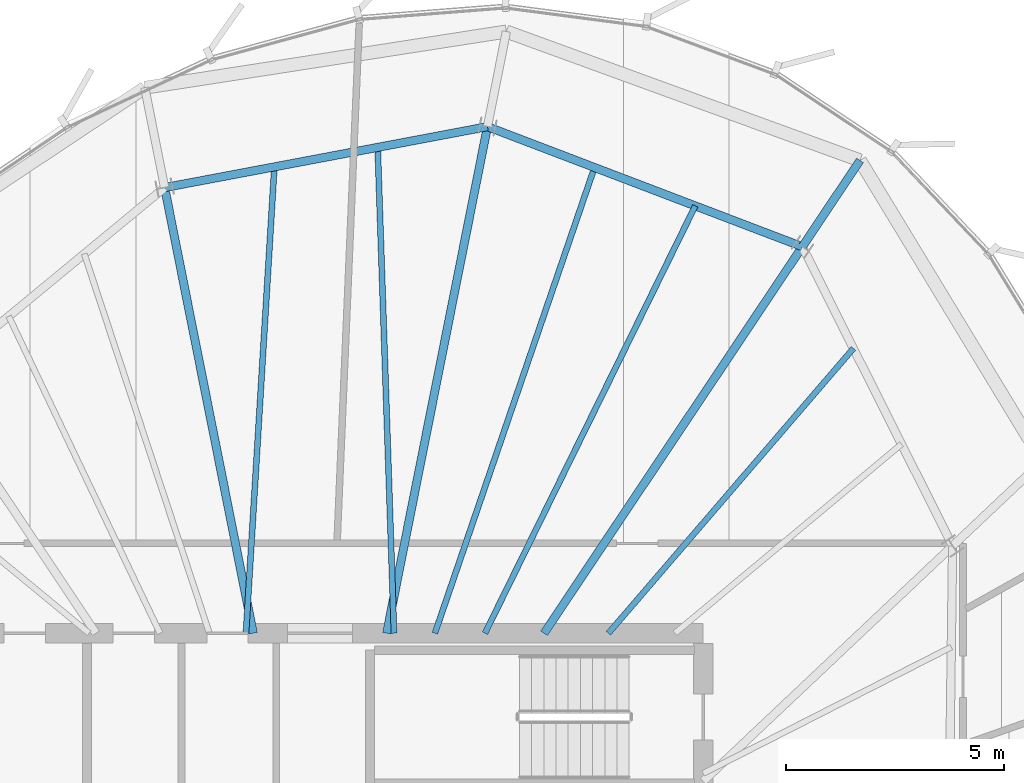
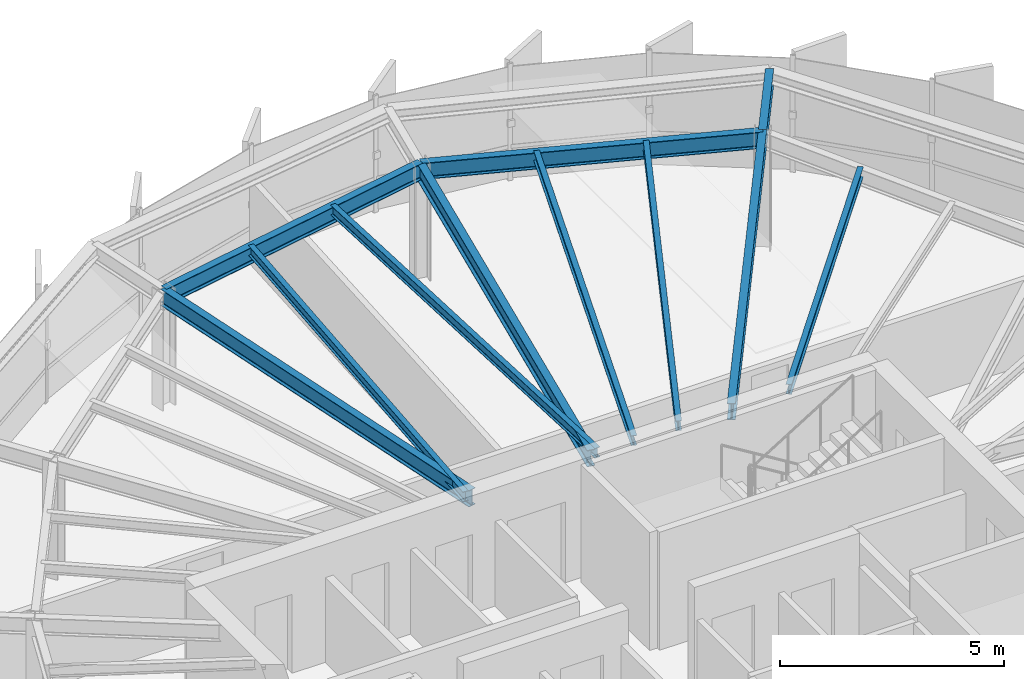
# One storey, part 20 of 31: 11 beams.
"""IFC4 building model written with IfcOpenShell, lengths in metres."""

from ifc_helpers import new_model, si_unit, direction, frame, origin, origin_2d, place, context, subcontext, project, spatial, i_section, extrude, source, transform, mapped, material, material_profile, profile_set, type_object, element, save


model = new_model("IFC4")

# Units and contexts
model_context = context("Model", 3, precision=1e-05, world=origin(), true_north=direction((0.0, 1.0)))
body_context = subcontext(model_context, "Body", "Model", "MODEL_VIEW")
ifc_project = project(units=[si_unit("LENGTHUNIT", "METRE"), si_unit("AREAUNIT", "SQUARE_METRE"), si_unit("VOLUMEUNIT", "CUBIC_METRE"), si_unit("PLANEANGLEUNIT", "RADIAN"), si_unit("MASSUNIT", "GRAM", prefix="KILO"), si_unit("THERMODYNAMICTEMPERATUREUNIT", "KELVIN")], contexts=[model_context])

# Site, building, storey
site_placement = place(None, origin())
site = spatial("IfcSite", under=ifc_project, at=site_placement, CompositionType="ELEMENT")
building_placement = place(site_placement, origin())
building = spatial("IfcBuilding", under=site, at=building_placement, Name="Kethvar Cultural Tower", CompositionType="ELEMENT")
storey_placement = place(building_placement, frame((0.0, 0.0, 287.050048828125)))
storey = spatial("IfcBuildingStorey", under=building, at=storey_placement, Name="L76", CompositionType="ELEMENT", Elevation=287.050048828125)

# Beams
ifc_material = material(Name="Steel S355J2", Category="steel")
ifc_material_profile_1 = material_profile(ifc_material, i_section(OverallWidth=0.18994140625, OverallDepth=0.449951171875, WebThickness=0.009521484375, FlangeThickness=0.0146484375, FilletRadius=0.02099609375, at=origin_2d()), Name="Steel S355J2 — IPE450")
ifc_profile_set_1 = profile_set([ifc_material_profile_1], Name="Steel S355J2 — IPE450")
beam_type_1 = type_object("IfcBeamType", Name="BM-IPE450", PredefinedType="BEAM", material=ifc_profile_set_1)
shared_shape_1 = source(origin(), body_context, "Body", "SweptSolid", [
    extrude(i_section(OverallWidth=0.18994140625, OverallDepth=0.449951171875, WebThickness=0.009521484375, FlangeThickness=0.0146484375, FilletRadius=0.02099609375, at=origin_2d()), origin(), (0.0, 0.0, 1.0), 10.673828125),
])
beam_1_placement = place(storey_placement, frame((51.945068359375, 35.5, 2.98291015625), z_axis=(0.555576086183, 0.831465701314, 0.0), x_axis=(-0.831465701314, 0.555576086183, 0.0)))
element("IfcBeam", 1, at=beam_1_placement, inside=storey, type_object=beam_type_1, Name="L76 Primary Radial Beam RB-03", PredefinedType="BEAM", context=body_context, shape_type="MappedRepresentation", body=[
    mapped(shared_shape_1, transform((0.0, 0.0, 0.0), scale=1.0)),
])
shared_shape_2 = source(origin(), body_context, "Body", "SweptSolid", [
    extrude(i_section(OverallWidth=0.18994140625, OverallDepth=0.449951171875, WebThickness=0.009521484375, FlangeThickness=0.0146484375, FilletRadius=0.02099609375, at=origin_2d()), origin(), (0.0, 0.0, 1.0), 11.859375),
])
beam_2_placement = place(storey_placement, frame((48.33154296875, 35.5, 2.98291015625), z_axis=(0.195094640585, 0.980784421377, 0.0), x_axis=(-0.980784421377, 0.195094640585, 0.0)))
element("IfcBeam", 2, at=beam_2_placement, inside=storey, type_object=beam_type_1, Name="L76 Primary Radial Beam RB-04", PredefinedType="BEAM", context=body_context, shape_type="MappedRepresentation", body=[
    mapped(shared_shape_2, transform((0.0, 0.0, 0.0), scale=1.0)),
])
shared_shape_3 = source(origin(), body_context, "Body", "SweptSolid", [
    extrude(i_section(OverallWidth=0.18994140625, OverallDepth=0.449951171875, WebThickness=0.009521484375, FlangeThickness=0.0146484375, FilletRadius=0.02099609375, at=origin_2d()), origin(), (0.0, 0.0, 1.0), 10.432861328125),
])
beam_3_placement = place(storey_placement, frame((45.268310546875, 35.5, 2.98291015625), z_axis=(-0.195094483249, 0.980784452673, 0.0), x_axis=(-0.980784452673, -0.195094483249, 0.0)))
element("IfcBeam", 3, at=beam_3_placement, inside=storey, type_object=beam_type_1, Name="L76 Primary Radial Beam RB-05", PredefinedType="BEAM", context=body_context, shape_type="MappedRepresentation", body=[
    mapped(shared_shape_3, transform((0.0, 0.0, 0.0), scale=1.0)),
])
ifc_material_profile_2 = material_profile(ifc_material, i_section(OverallWidth=0.135009765625, OverallDepth=0.27001953125, WebThickness=0.006591796875, FlangeThickness=0.01025390625, FilletRadius=0.014892578125, at=origin_2d()), Name="Steel S355J2 — IPE270")
ifc_profile_set_2 = profile_set([ifc_material_profile_2], Name="Steel S355J2 — IPE270")
beam_type_2 = type_object("IfcBeamType", Name="BM-J270", PredefinedType="JOIST", material=ifc_profile_set_2)
shared_shape_4 = source(origin(), body_context, "Body", "SweptSolid", [
    extrude(i_section(OverallWidth=0.135009765625, OverallDepth=0.27001953125, WebThickness=0.006591796875, FlangeThickness=0.01025390625, FilletRadius=0.014892578125, at=origin_2d()), origin(), (0.0, 0.0, 1.0), 8.6259765625),
])
beam_4_placement = place(storey_placement, frame((53.42333984375, 35.5, 3.072998046875), z_axis=(0.65210499689, 0.758128665222, 0.0), x_axis=(-0.758128665222, 0.65210499689, 0.0)))
element("IfcBeam", 4, at=beam_4_placement, inside=storey, type_object=beam_type_2, Name="L76 Composite Floor Joist J-02B", PredefinedType="JOIST", context=body_context, shape_type="MappedRepresentation", body=[
    mapped(shared_shape_4, transform((0.0, 0.0, 0.0), scale=1.0)),
])
shared_shape_5 = source(origin(), body_context, "Body", "SweptSolid", [
    extrude(i_section(OverallWidth=0.18994140625, OverallDepth=0.449951171875, WebThickness=0.009521484375, FlangeThickness=0.0146484375, FilletRadius=0.02099609375, at=origin_2d()), origin(), (0.0, 0.0, 1.0), 7.737548828125),
])
beam_5_placement = place(storey_placement, frame((57.875244140625, 44.375, 2.98291015625), z_axis=(-0.934388230776, 0.356256416347, 0.0), x_axis=(-0.356256416347, -0.934388230776, 0.0)))
element("IfcBeam", 5, at=beam_5_placement, inside=storey, type_object=beam_type_1, Name="L76 Column Ring Tie Beam CR-03", PredefinedType="BEAM", context=body_context, shape_type="MappedRepresentation", body=[
    mapped(shared_shape_5, transform((0.0, 0.0, 0.0), scale=1.0)),
])
shared_shape_6 = source(origin(), body_context, "Body", "SweptSolid", [
    extrude(i_section(OverallWidth=0.135009765625, OverallDepth=0.27001953125, WebThickness=0.006591796875, FlangeThickness=0.01025390625, FilletRadius=0.014892578125, at=origin_2d()), origin(), (0.0, 0.0, 1.0), 10.935791015625),
])
beam_6_placement = place(storey_placement, frame((50.5888671875, 35.5, 3.072998046875), z_axis=(0.441498236677, 0.897262117227, 0.0), x_axis=(-0.897262117227, 0.441498236677, 0.0)))
element("IfcBeam", 6, at=beam_6_placement, inside=storey, type_object=beam_type_2, Name="L76 Composite Floor Joist J-03A", PredefinedType="JOIST", context=body_context, shape_type="MappedRepresentation", body=[
    mapped(shared_shape_6, transform((0.0, 0.0, 0.0), scale=1.0)),
])
shared_shape_7 = source(origin(), body_context, "Body", "SweptSolid", [
    extrude(i_section(OverallWidth=0.135009765625, OverallDepth=0.27001953125, WebThickness=0.006591796875, FlangeThickness=0.01025390625, FilletRadius=0.014892578125, at=origin_2d()), origin(), (0.0, 0.0, 1.0), 11.304931640625),
])
beam_7_placement = place(storey_placement, frame((49.438720703125, 35.5, 3.072998046875), z_axis=(0.324179110764, 0.945995720997, 0.0), x_axis=(-0.945995720997, 0.324179110764, 0.0)))
element("IfcBeam", 7, at=beam_7_placement, inside=storey, type_object=beam_type_2, Name="L76 Composite Floor Joist J-03B", PredefinedType="JOIST", context=body_context, shape_type="MappedRepresentation", body=[
    mapped(shared_shape_7, transform((0.0, 0.0, 0.0), scale=1.0)),
])
shared_shape_8 = source(origin(), body_context, "Body", "SweptSolid", [
    extrude(i_section(OverallWidth=0.18994140625, OverallDepth=0.449951171875, WebThickness=0.009521484375, FlangeThickness=0.0146484375, FilletRadius=0.02099609375, at=origin_2d()), origin(), (0.0, 0.0, 1.0), 7.543212890625),
])
beam_8_placement = place(storey_placement, frame((50.645263671875, 47.131591796875, 2.98291015625), z_axis=(-0.982646853086, -0.185486285532, 0.0), x_axis=(0.185486285532, -0.982646853086, 0.0)))
element("IfcBeam", 8, at=beam_8_placement, inside=storey, type_object=beam_type_1, Name="L76 Column Ring Tie Beam CR-04", PredefinedType="BEAM", context=body_context, shape_type="MappedRepresentation", body=[
    mapped(shared_shape_8, transform((0.0, 0.0, 0.0), scale=1.0)),
])
shared_shape_9 = source(origin(), body_context, "Body", "SweptSolid", [
    extrude(i_section(OverallWidth=0.135009765625, OverallDepth=0.27001953125, WebThickness=0.006591796875, FlangeThickness=0.01025390625, FilletRadius=0.014892578125, at=origin_2d()), origin(), (0.0, 0.0, 1.0), 11.162109375),
])
beam_9_placement = place(storey_placement, frame((48.5, 35.5, 3.072998046875), z_axis=(-0.0335959409, 0.999435497046, 0.0), x_axis=(-0.999435497046, -0.0335959409, 0.0)))
element("IfcBeam", 9, at=beam_9_placement, inside=storey, type_object=beam_type_2, Name="L76 Composite Floor Joist J-04A", PredefinedType="JOIST", context=body_context, shape_type="MappedRepresentation", body=[
    mapped(shared_shape_9, transform((0.0, 0.0, 0.0), scale=1.0)),
])
shared_shape_10 = source(origin(), body_context, "Body", "SweptSolid", [
    extrude(i_section(OverallWidth=0.135009765625, OverallDepth=0.27001953125, WebThickness=0.006591796875, FlangeThickness=0.01025390625, FilletRadius=0.014892578125, at=origin_2d()), origin(), (0.0, 0.0, 1.0), 10.727783203125),
])
beam_10_placement = place(storey_placement, frame((45.10009765625, 35.5, 3.072998046875), z_axis=(0.060876395586, 0.998145312297, 0.0), x_axis=(-0.998145312297, 0.060876395586, 0.0)))
element("IfcBeam", 10, at=beam_10_placement, inside=storey, type_object=beam_type_2, Name="L76 Composite Floor Joist J-04B", PredefinedType="JOIST", context=body_context, shape_type="MappedRepresentation", body=[
    mapped(shared_shape_10, transform((0.0, 0.0, 0.0), scale=1.0)),
])
shared_shape_11 = source(origin(), body_context, "Body", "SweptSolid", [
    extrude(i_section(OverallWidth=0.18994140625, OverallDepth=0.449951171875, WebThickness=0.009521484375, FlangeThickness=0.0146484375, FilletRadius=0.02099609375, at=origin_2d()), origin(), (0.0, 0.0, 1.0), 2.3828125),
])
beam_11_placement = place(storey_placement, frame((57.875244140625, 44.375, 2.98291015625), z_axis=(0.555551132035, 0.831482374855, 0.0), x_axis=(-0.831482374855, 0.555551132035, 0.0)))
element("IfcBeam", 11, at=beam_11_placement, inside=storey, type_object=beam_type_1, Name="L76 Perimeter Cantilever Beam RC-03", PredefinedType="BEAM", context=body_context, shape_type="MappedRepresentation", body=[
    mapped(shared_shape_11, transform((0.0, 0.0, 0.0), scale=1.0)),
])

save(model, "model.ifc")
